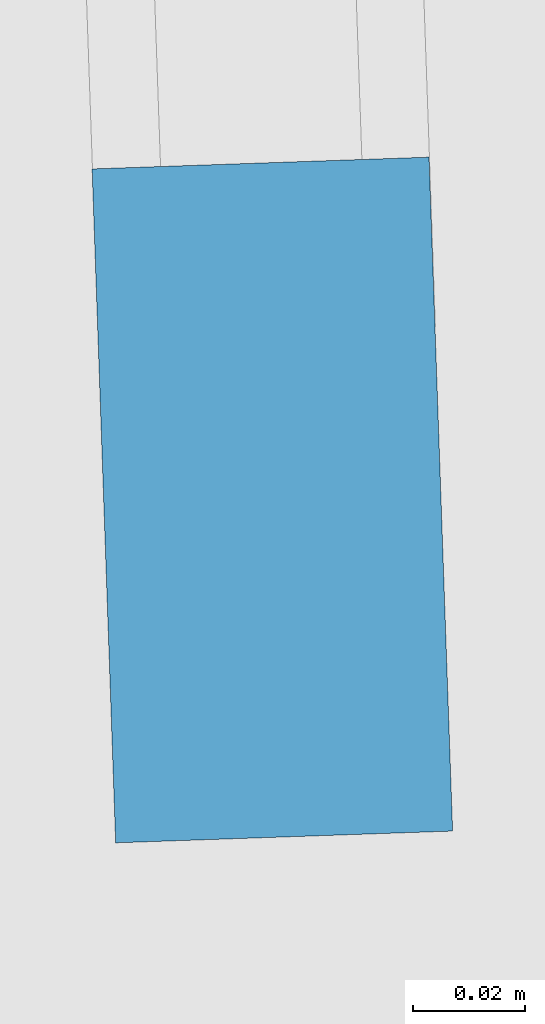
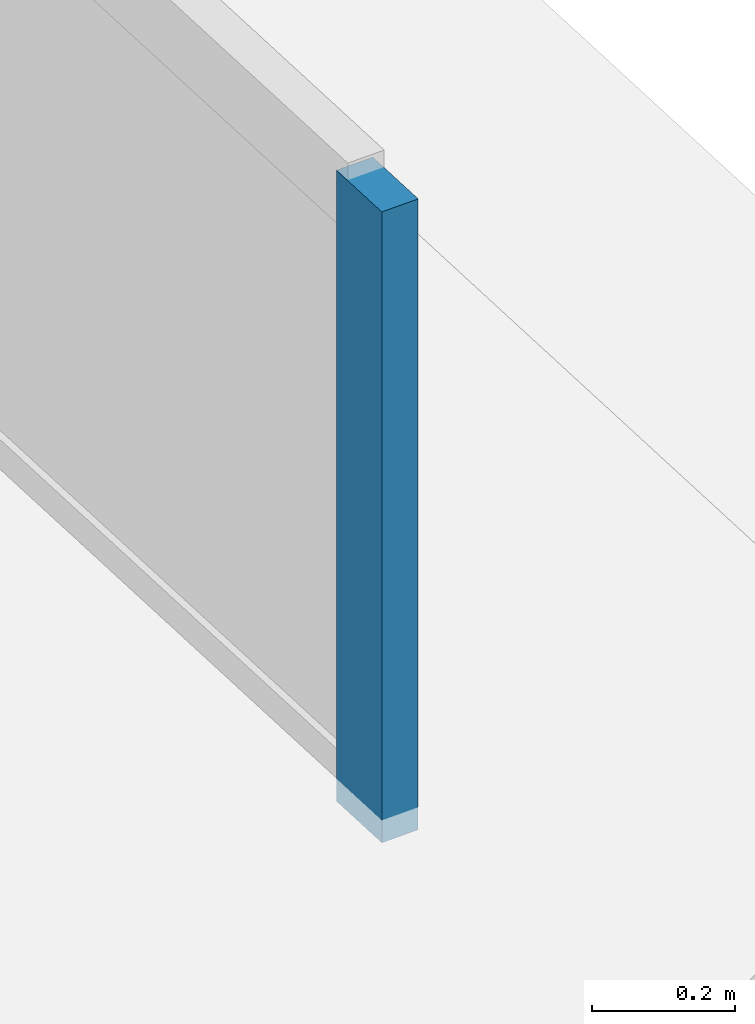
# One storey, part 6 of 13: 1 member, 1 element without a shape of its own.
"""IFC4 building model written with IfcOpenShell, lengths in metres."""

from ifc_helpers import new_model, si_unit, direction, frame, origin, origin_2d, place, context, subcontext, project, spatial, rectangle, extrude, material, layer, layer_set, material_profile, profile_set, type_object, element, aggregate, save


model = new_model("IFC4")

# Units and contexts
model_context = context("Model", 3, precision=1e-05, world=origin(), true_north=direction((0.0, 1.0)))
body_context = subcontext(model_context, "Body", "Model", "MODEL_VIEW")
ifc_project = project(units=[si_unit("LENGTHUNIT", "METRE"), si_unit("AREAUNIT", "SQUARE_METRE"), si_unit("VOLUMEUNIT", "CUBIC_METRE"), si_unit("PLANEANGLEUNIT", "RADIAN"), si_unit("MASSUNIT", "GRAM", prefix="KILO")], contexts=[model_context])

# Site, building, storey
site_placement = place(None, origin())
site = spatial("IfcSite", under=ifc_project, at=site_placement, CompositionType="ELEMENT")
building_placement = place(site_placement, origin())
building = spatial("IfcBuilding", under=site, at=building_placement, Name="Rocaltana Carrier Exchange", CompositionType="ELEMENT")
storey_placement = place(building_placement, frame((0.0, 0.0, 211.840087890625)))
storey = spatial("IfcBuildingStorey", under=building, at=storey_placement, Name="L67", CompositionType="ELEMENT", Elevation=211.840087890625)

# Curtain wall, member
ifc_material_1 = material(Name="Aluminium 6063-T6", Category="aluminium")
ifc_layer = layer(ifc_material_1, 0.1201171875)
ifc_layer_set = layer_set([ifc_layer], Name="Aluminium 6063-T6")
curtain_wall_type = type_object("IfcCurtainWallType", Name="High-Altitude Thermal Curtain Wall CW-05", PredefinedType="NOTDEFINED", material=ifc_layer_set)
curtain_wall_placement = place(storey_placement, origin())
curtain_wall = element("IfcCurtainWall", 1, at=curtain_wall_placement, inside=storey, type_object=curtain_wall_type, Name="L67 CW-05 Run CW-L67-F1S1", PredefinedType="NOTDEFINED")
ifc_material_2 = material(Name="Aluminium 6063-T6", Category="aluminium")
ifc_material_profile = material_profile(ifc_material_2, rectangle(XDim=0.06005859375, YDim=0.1201171875, at=origin_2d()), Name="AL-60X120")
ifc_profile_set = profile_set([ifc_material_profile], Name="Aluminium 6063-T6")
member_type = type_object("IfcMemberType", Name="CW-05 Mullion AL-60X120", PredefinedType="MULLION", material=ifc_profile_set)
member_placement = place(storey_placement, frame((11.421630859375, -15.480712890625, 0.0), z_axis=(0.0, 0.0, 1.0), x_axis=(-0.999390315991, -0.034914127567, 0.0)))
member = element("IfcMember", 2, at=member_placement, type_object=member_type, Name="CW-05 mullion 1", PredefinedType="MULLION", context=body_context, shape_type="SweptSolid", body=[
    extrude(rectangle(XDim=0.06005859375, YDim=0.1201171875, at=origin_2d()), origin(), (0.0, 0.0, 1.0), 1.077880859375),
])
aggregate(curtain_wall, [member])

save(model, "model.ifc")
